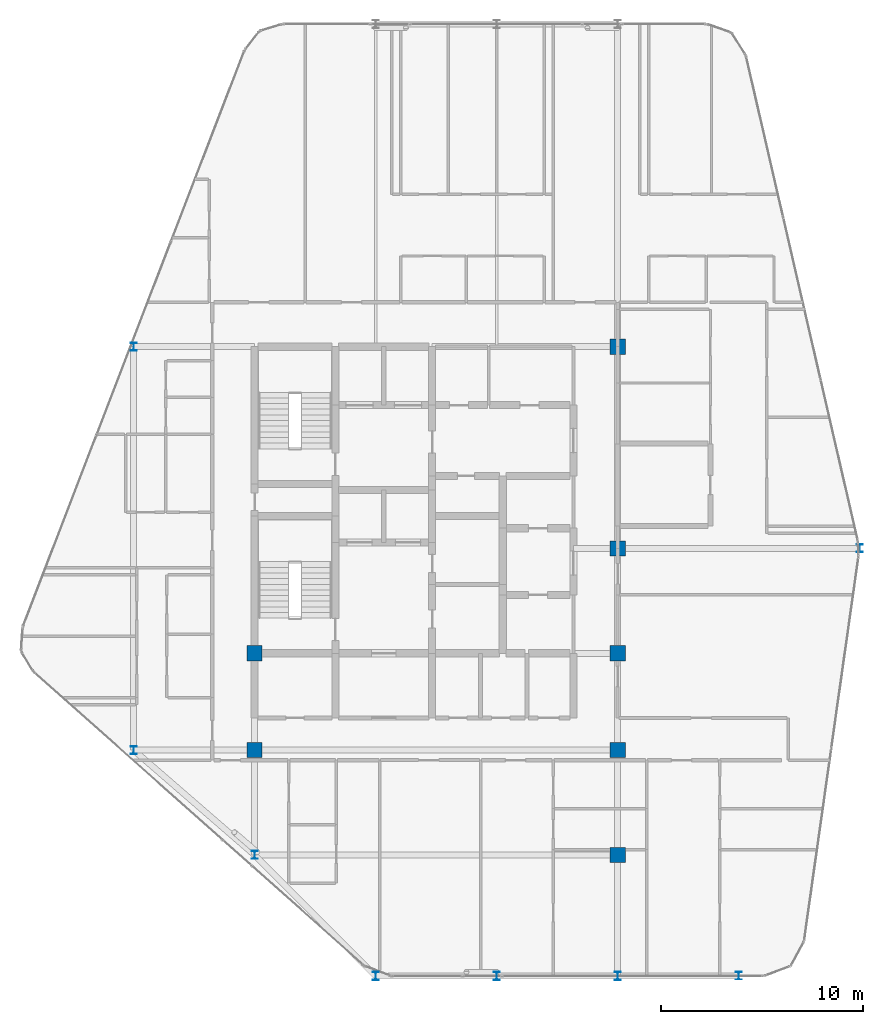
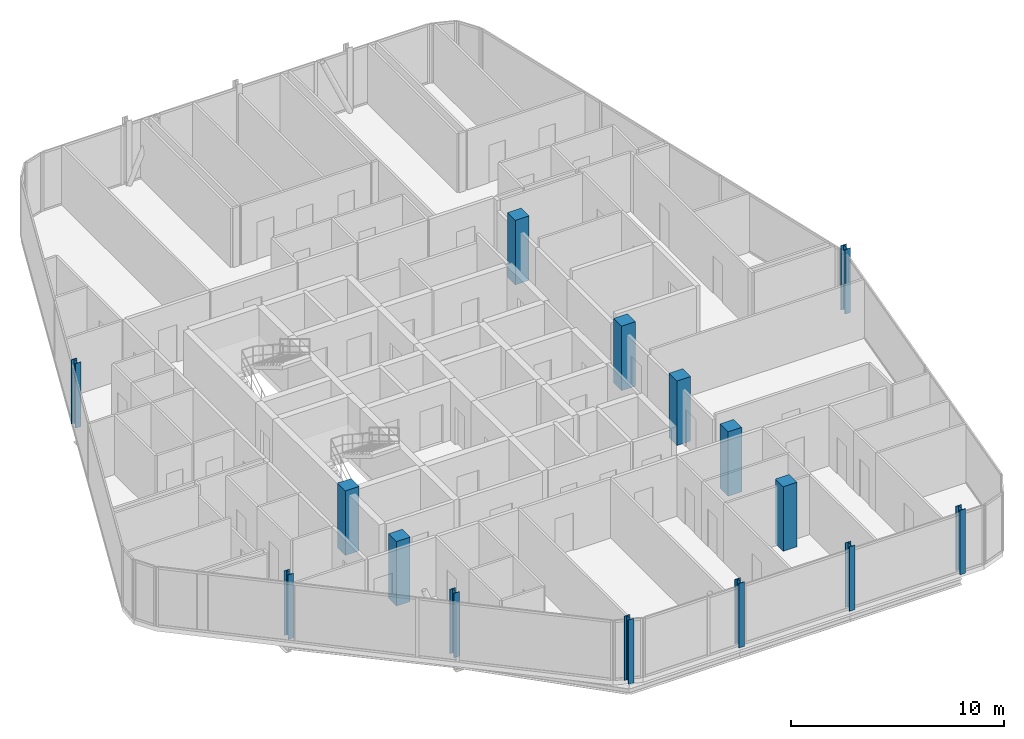
# One storey, part 1 of 27: 15 columns.
"""IFC4 building model written with IfcOpenShell, lengths in metres."""

from ifc_helpers import new_model, si_unit, direction, frame, origin, origin_2d, place, context, subcontext, project, spatial, rectangle, i_section, extrude, material, material_profile, profile_set, type_object, element, save


model = new_model("IFC4")

# Units and contexts
model_context = context("Model", 3, precision=1e-05, world=origin(), true_north=direction((0.0, 1.0)))
body_context = subcontext(model_context, "Body", "Model", "MODEL_VIEW")
ifc_project = project(units=[si_unit("LENGTHUNIT", "METRE"), si_unit("AREAUNIT", "SQUARE_METRE"), si_unit("VOLUMEUNIT", "CUBIC_METRE"), si_unit("PLANEANGLEUNIT", "RADIAN"), si_unit("MASSUNIT", "GRAM", prefix="KILO")], contexts=[model_context])

# Site, building, storey
site_placement = place(None, origin())
site = spatial("IfcSite", under=ifc_project, at=site_placement, CompositionType="ELEMENT")
building_placement = place(site_placement, origin())
building = spatial("IfcBuilding", under=site, at=building_placement, Name="Keshet Zoharim Tower", CompositionType="ELEMENT")
storey_placement = place(building_placement, frame((0.0, 0.0, 262.10009765625)))
storey = spatial("IfcBuildingStorey", under=building, at=storey_placement, Name="L65", CompositionType="ELEMENT", Elevation=262.10009765625)

# Columns
ifc_material_1 = material(Name="Steel S355", Category="steel")
ifc_material_profile_1 = material_profile(ifc_material_1, i_section(OverallWidth=0.300048828125, OverallDepth=0.39990234375, WebThickness=0.013427734375, FlangeThickness=0.02392578125, FilletRadius=0.027099609375, at=origin_2d()), Name="HEB400")
ifc_profile_set_1 = profile_set([ifc_material_profile_1], Name="Steel S355")
column_type_1 = type_object("IfcColumnType", Name="COL-HEB400", PredefinedType="COLUMN", material=ifc_profile_set_1)
for number, where, z_axis, x_axis, name in (
    (1, (9.0, 17.89990234375, 0.0), (0.0, 0.0, 1.0), (1.0, 0.0, 0.0), "L65 Column 2D"),
    (2, (9.0, 37.89990234375, 0.0), (0.0, 0.0, 1.0), (1.0, 0.0, 0.0), "L65 Column 2H"),
    (3, (15.0, 12.699951171875, 0.0), (0.0, 0.0, 1.0), (1.0, 0.0, 0.0), "L65 Column 3C"),
    (4, (21.0, 6.699951171875, 0.0), (0.0, 0.0, 1.0), (1.0, 0.0, 0.0), "L65 Column 4B"),
    (5, (27.0, 6.699951171875, 0.0), (0.0, 0.0, 1.0), (1.0, 0.0, 0.0), "L65 Column 5B"),
    (6, (33.0, 6.699951171875, 0.0), (0.0, 0.0, 1.0), (1.0, 0.0, 0.0), "L65 Column 6B"),
    (7, (39.0, 6.699951171875, 0.0), (0.0, 0.0, 1.0), (1.0, 0.0, 0.0), "L65 Column 7B"),
    (8, (45.0, 27.89990234375, 0.0), (0.0, 0.0, 1.0), (1.0, 0.0, 0.0), "L65 Column 8F"),
):
    element("IfcColumn", number, at=place(storey_placement, frame(where, z_axis=z_axis, x_axis=x_axis)), inside=storey, type_object=column_type_1, Name=name, PredefinedType="COLUMN", context=body_context, shape_type="SweptSolid", body=[
        extrude(i_section(OverallWidth=0.300048828125, OverallDepth=0.39990234375, WebThickness=0.013427734375, FlangeThickness=0.02392578125, FilletRadius=0.027099609375, at=origin_2d()), origin(), (0.0, 0.0, 1.0), 3.699951171875),
    ])
ifc_material_2 = material(Name="Concrete C50/60", Category="concrete")
ifc_material_profile_2 = material_profile(ifc_material_2, rectangle(XDim=0.75, YDim=0.75, at=origin_2d()), Name="RC750x750")
ifc_profile_set_2 = profile_set([ifc_material_profile_2], Name="Concrete C50/60")
column_type_2 = type_object("IfcColumnType", Name="COL-RC750", PredefinedType="COLUMN", material=ifc_profile_set_2)
for number, where, z_axis, x_axis, name in (
    (9, (15.0, 17.89990234375, 0.0), (0.0, 0.0, 1.0), (1.0, 0.0, 0.0), "L65 Column 3D"),
    (10, (15.0, 22.699951171875, 0.0), (0.0, 0.0, 1.0), (1.0, 0.0, 0.0), "L65 Column 3E"),
    (11, (33.0, 12.699951171875, 0.0), (0.0, 0.0, 1.0), (1.0, 0.0, 0.0), "L65 Column 6C"),
    (12, (33.0, 17.89990234375, 0.0), (0.0, 0.0, 1.0), (1.0, 0.0, 0.0), "L65 Column 6D"),
    (13, (33.0, 22.699951171875, 0.0), (0.0, 0.0, 1.0), (1.0, 0.0, 0.0), "L65 Column 6E"),
    (14, (33.0, 27.89990234375, 0.0), (0.0, 0.0, 1.0), (1.0, 0.0, 0.0), "L65 Column 6F"),
    (15, (33.0, 37.89990234375, 0.0), (0.0, 0.0, 1.0), (1.0, 0.0, 0.0), "L65 Column 6H"),
):
    element("IfcColumn", number, at=place(storey_placement, frame(where, z_axis=z_axis, x_axis=x_axis)), inside=storey, type_object=column_type_2, Name=name, PredefinedType="COLUMN", context=body_context, shape_type="SweptSolid", body=[
        extrude(rectangle(XDim=0.75, YDim=0.75, at=origin_2d()), origin(), (0.0, 0.0, 1.0), 3.699951171875),
    ])

save(model, "model.ifc")
